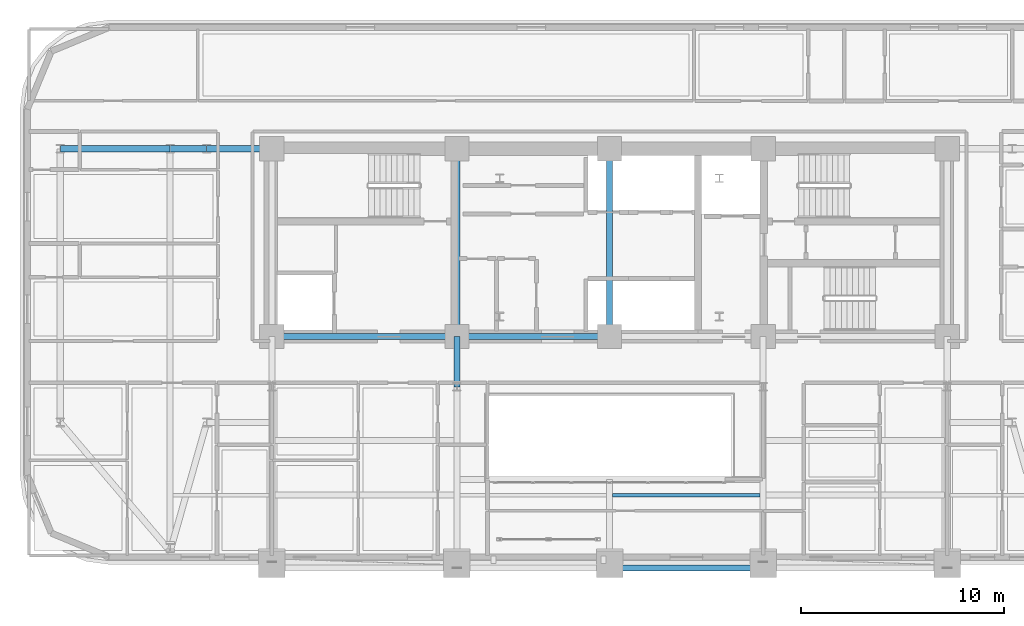
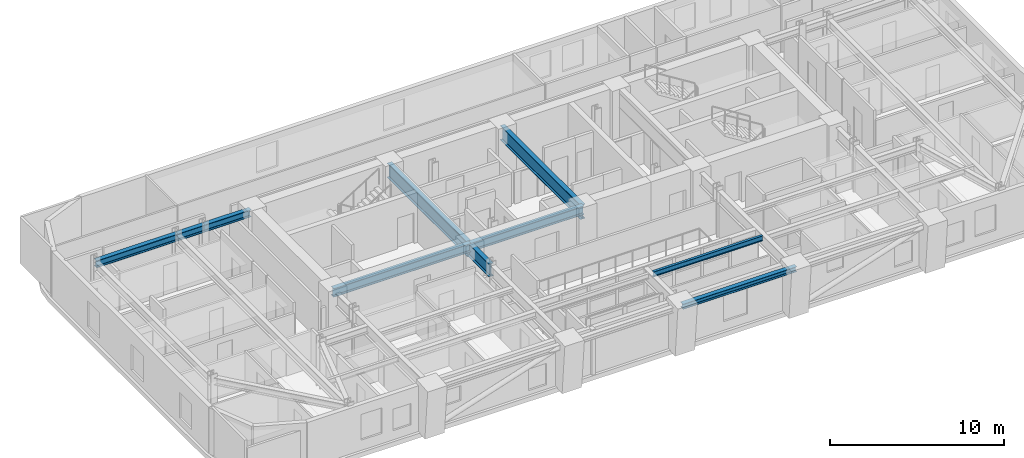
# One storey, part 4 of 16: 10 beams.
"""IFC4 building model written with IfcOpenShell, lengths in metres."""

from ifc_helpers import new_model, si_unit, direction, frame, origin, origin_2d, place, context, subcontext, project, spatial, i_section, extrude, material, material_profile, profile_set, type_object, element, save


model = new_model("IFC4")

# Units and contexts
model_context = context("Model", 3, precision=1e-05, world=origin(), true_north=direction((0.0, 1.0)))
body_context = subcontext(model_context, "Body", "Model", "MODEL_VIEW")
ifc_project = project(units=[si_unit("LENGTHUNIT", "METRE"), si_unit("AREAUNIT", "SQUARE_METRE"), si_unit("VOLUMEUNIT", "CUBIC_METRE"), si_unit("PLANEANGLEUNIT", "RADIAN"), si_unit("MASSUNIT", "GRAM", prefix="KILO")], contexts=[model_context])

# Site, building, storey
site_placement = place(None, origin())
site = spatial("IfcSite", under=ifc_project, at=site_placement, CompositionType="ELEMENT")
building_placement = place(site_placement, origin())
building = spatial("IfcBuilding", under=site, at=building_placement, Name="Zarnavel Station Tower", CompositionType="ELEMENT")
storey_placement = place(building_placement, frame((0.0, 0.0, 104.800048828125)))
storey = spatial("IfcBuildingStorey", under=building, at=storey_placement, Name="L28", CompositionType="ELEMENT", Elevation=104.800048828125)

# Beams
ifc_material_1 = material(Name="Steel S355J2", Category="steel")
ifc_material_profile_1 = material_profile(ifc_material_1, i_section(OverallWidth=0.300048828125, OverallDepth=0.360107421875, WebThickness=0.012451171875, FlangeThickness=0.0224609375, FilletRadius=0.027099609375, at=origin_2d()), Name="HEB360")
ifc_profile_set_1 = profile_set([ifc_material_profile_1], Name="Steel S355J2")
beam_type_1 = type_object("IfcBeamType", Name="EB_HEB360", PredefinedType="SPANDREL", material=ifc_profile_set_1)
beam_1_placement = place(storey_placement, frame((28.800048828125, 16.4375, 3.06005859375), z_axis=(1.0, 0.0, 0.0), x_axis=(0.0, 1.0, 0.0)))
element("IfcBeam", 1, at=beam_1_placement, inside=storey, type_object=beam_type_1, Name="L28 South Raked Spandrel 3", PredefinedType="SPANDREL", context=body_context, shape_type="SweptSolid", body=[
    extrude(i_section(OverallWidth=0.300048828125, OverallDepth=0.360107421875, WebThickness=0.012451171875, FlangeThickness=0.0224609375, FilletRadius=0.027099609375, at=origin_2d()), origin(), (0.0, 0.0, 1.0), 7.550048828125),
])
ifc_material_2 = material(Name="Steel S355J2", Category="steel")
ifc_material_profile_2 = material_profile(ifc_material_2, i_section(OverallWidth=0.300048828125, OverallDepth=0.5, WebThickness=0.014404296875, FlangeThickness=0.028076171875, FilletRadius=0.027099609375, at=origin_2d()), Name="HEB500")
ifc_profile_set_2 = profile_set([ifc_material_profile_2], Name="Steel S355J2")
beam_type_2 = type_object("IfcBeamType", Name="FG_HEB500", PredefinedType="USERDEFINED", material=ifc_profile_set_2)
beam_2_placement = place(storey_placement, frame((1.800048828125, 37.050048828125, 2.989990234375), z_axis=(1.0, 0.0, 0.0), x_axis=(0.0, 1.0, 0.0)))
element("IfcBeam", 2, at=beam_2_placement, inside=storey, type_object=beam_type_2, Name="L28 West Wing North Tie 1", ObjectType="GIRDER", PredefinedType="USERDEFINED", context=body_context, shape_type="SweptSolid", body=[
    extrude(i_section(OverallWidth=0.300048828125, OverallDepth=0.5, WebThickness=0.014404296875, FlangeThickness=0.028076171875, FilletRadius=0.027099609375, at=origin_2d()), origin(), (0.0, 0.0, 1.0), 5.39990234375),
])
beam_3_placement = place(storey_placement, frame((7.199951171875, 37.050048828125, 2.989990234375), z_axis=(1.0, 0.0, 0.0), x_axis=(0.0, 1.0, 0.0)))
element("IfcBeam", 3, at=beam_3_placement, inside=storey, type_object=beam_type_2, Name="L28 West Wing North Tie 2", ObjectType="GIRDER", PredefinedType="USERDEFINED", context=body_context, shape_type="SweptSolid", body=[
    extrude(i_section(OverallWidth=0.300048828125, OverallDepth=0.5, WebThickness=0.014404296875, FlangeThickness=0.028076171875, FilletRadius=0.027099609375, at=origin_2d()), origin(), (0.0, 0.0, 1.0), 1.800048828125),
])
beam_4_placement = place(storey_placement, frame((9.0, 37.050048828125, 2.989990234375), z_axis=(1.0, 0.0, 0.0), x_axis=(0.0, 1.0, 0.0)))
element("IfcBeam", 4, at=beam_4_placement, inside=storey, type_object=beam_type_2, Name="L28 West Wing North Tie 3", ObjectType="GIRDER", PredefinedType="USERDEFINED", context=body_context, shape_type="SweptSolid", body=[
    extrude(i_section(OverallWidth=0.300048828125, OverallDepth=0.5, WebThickness=0.014404296875, FlangeThickness=0.028076171875, FilletRadius=0.027099609375, at=origin_2d()), origin(), (0.0, 0.0, 1.0), 3.054931640625),
])
ifc_material_3 = material(Name="Steel S355J2", Category="steel")
ifc_material_profile_3 = material_profile(ifc_material_3, i_section(OverallWidth=0.300048828125, OverallDepth=0.60009765625, WebThickness=0.015380859375, FlangeThickness=0.030029296875, FilletRadius=0.027099609375, at=origin_2d()), Name="HEB600")
ifc_profile_set_3 = profile_set([ifc_material_profile_3], Name="Steel S355J2")
beam_type_3 = type_object("IfcBeamType", Name="FG_HEB600", PredefinedType="USERDEFINED", material=ifc_profile_set_3)
beam_5_placement = place(storey_placement, frame((12.199951171875, 27.820068359375, 2.93994140625), z_axis=(1.0, 0.0, 0.0), x_axis=(0.0, 1.0, 0.0)))
element("IfcBeam", 5, at=beam_5_placement, inside=storey, type_object=beam_type_3, Name="L28 Core Front Coupling Beam 1", ObjectType="GIRDER", PredefinedType="USERDEFINED", context=body_context, shape_type="SweptSolid", body=[
    extrude(i_section(OverallWidth=0.300048828125, OverallDepth=0.60009765625, WebThickness=0.015380859375, FlangeThickness=0.030029296875, FilletRadius=0.027099609375, at=origin_2d()), origin(), (0.0, 0.0, 1.0), 9.10009765625),
])
beam_6_placement = place(storey_placement, frame((21.300048828125, 27.820068359375, 2.93994140625), z_axis=(1.0, 0.0, 0.0), x_axis=(0.0, 1.0, 0.0)))
element("IfcBeam", 6, at=beam_6_placement, inside=storey, type_object=beam_type_3, Name="L28 Core Front Coupling Beam 2", ObjectType="GIRDER", PredefinedType="USERDEFINED", context=body_context, shape_type="SweptSolid", body=[
    extrude(i_section(OverallWidth=0.300048828125, OverallDepth=0.60009765625, WebThickness=0.015380859375, FlangeThickness=0.030029296875, FilletRadius=0.027099609375, at=origin_2d()), origin(), (0.0, 0.0, 1.0), 7.5),
])
ifc_material_4 = material(Name="Steel S355J2", Category="steel")
ifc_material_profile_4 = material_profile(ifc_material_4, i_section(OverallWidth=0.169921875, OverallDepth=0.360107421875, WebThickness=0.008056640625, FlangeThickness=0.0126953125, FilletRadius=0.01806640625, at=origin_2d()), Name="IPE360")
ifc_profile_set_4 = profile_set([ifc_material_profile_4], Name="Steel S355J2")
beam_type_4 = type_object("IfcBeamType", Name="FJ_IPE360", PredefinedType="JOIST", material=ifc_profile_set_4)
beam_7_placement = place(storey_placement, frame((28.945068359375, 20.02490234375, 3.06005859375), z_axis=(1.0, 0.0, 0.0), x_axis=(0.0, 1.0, 0.0)))
element("IfcBeam", 7, at=beam_7_placement, inside=storey, type_object=beam_type_4, Name="L28 Mid-East Joist 1", PredefinedType="JOIST", context=body_context, shape_type="SweptSolid", body=[
    extrude(i_section(OverallWidth=0.169921875, OverallDepth=0.360107421875, WebThickness=0.008056640625, FlangeThickness=0.0126953125, FilletRadius=0.01806640625, at=origin_2d()), origin(), (0.0, 0.0, 1.0), 7.260009765625),
])
ifc_material_5 = material(Name="Steel S460M", Category="steel")
ifc_material_profile_5 = material_profile(ifc_material_5, i_section(OverallWidth=0.302001953125, OverallDepth=1.008056640625, WebThickness=0.02099609375, FlangeThickness=0.0400390625, FilletRadius=0.030029296875, at=origin_2d()), Name="HEM1000")
ifc_profile_set_5 = profile_set([ifc_material_profile_5], Name="Steel S460M")
beam_type_5 = type_object("IfcBeamType", Name="TG_HEM1000", PredefinedType="USERDEFINED", material=ifc_profile_set_5)
for number, where, z_axis, x_axis, name in (
    (8, (21.300048828125, 27.820068359375, 2.73583984375), (0.0, 1.0, 0.0), (-1.0, 0.0, 0.0), "L28 Core Spine Coupling Girder 2"),
    (9, (28.800048828125, 27.820068359375, 2.73583984375), (0.0, 1.0, 0.0), (-1.0, 0.0, 0.0), "L28 Core Spine Coupling Girder 3"),
):
    element("IfcBeam", number, at=place(storey_placement, frame(where, z_axis=z_axis, x_axis=x_axis)), inside=storey, type_object=beam_type_5, Name=name, ObjectType="GIRDER", PredefinedType="USERDEFINED", context=body_context, shape_type="SweptSolid", body=[
        extrude(i_section(OverallWidth=0.302001953125, OverallDepth=1.008056640625, WebThickness=0.02099609375, FlangeThickness=0.0400390625, FilletRadius=0.030029296875, at=origin_2d()), origin(), (0.0, 0.0, 1.0), 9.22998046875),
    ])
ifc_material_6 = material(Name="Steel S460M", Category="steel")
ifc_material_profile_6 = material_profile(ifc_material_6, i_section(OverallWidth=0.302001953125, OverallDepth=0.909912109375, WebThickness=0.02099609375, FlangeThickness=0.0400390625, FilletRadius=0.030029296875, at=origin_2d()), Name="HEM900")
ifc_profile_set_6 = profile_set([ifc_material_profile_6], Name="Steel S460M")
beam_type_6 = type_object("IfcBeamType", Name="TG_HEM900", PredefinedType="USERDEFINED", material=ifc_profile_set_6)
beam_8_placement = place(storey_placement, frame((21.300048828125, 25.35009765625, 2.784912109375), z_axis=(0.0, 1.0, 0.0), x_axis=(-1.0, 0.0, 0.0)))
element("IfcBeam", 10, at=beam_8_placement, inside=storey, type_object=beam_type_6, Name="L28 Inner-Zone NS Girder 2", ObjectType="GIRDER", PredefinedType="USERDEFINED", context=body_context, shape_type="SweptSolid", body=[
    extrude(i_section(OverallWidth=0.302001953125, OverallDepth=0.909912109375, WebThickness=0.02099609375, FlangeThickness=0.0400390625, FilletRadius=0.030029296875, at=origin_2d()), origin(), (0.0, 0.0, 1.0), 2.469970703125),
])

save(model, "model.ifc")
